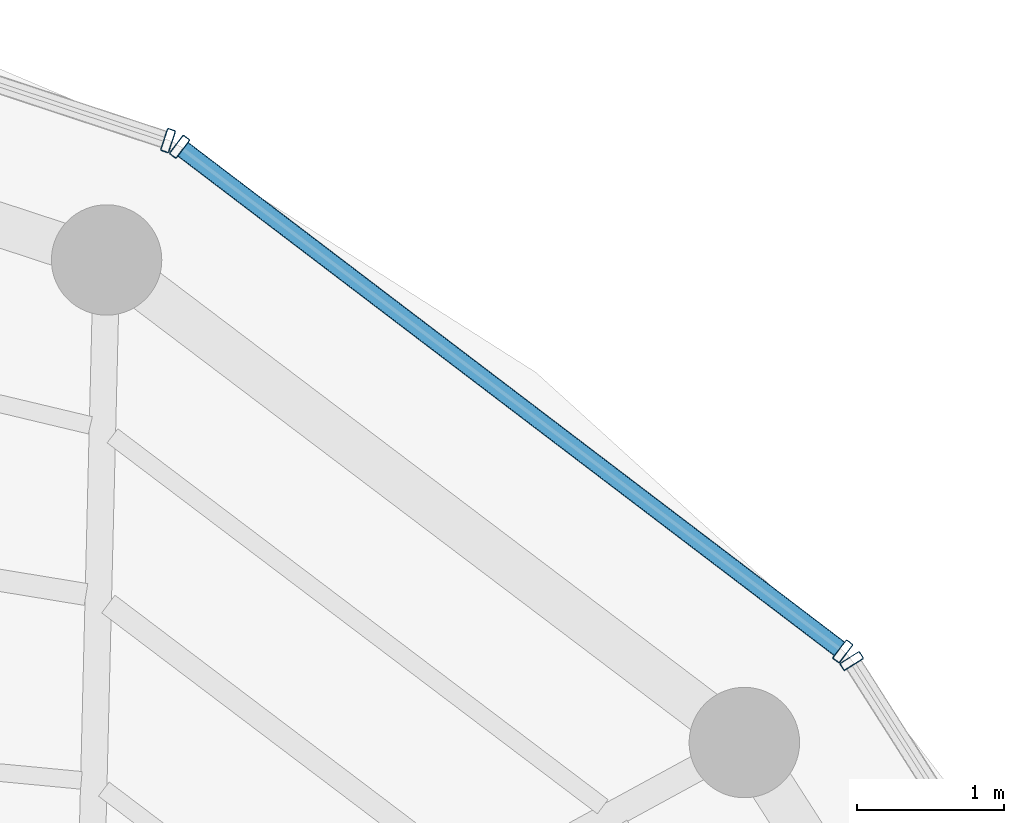
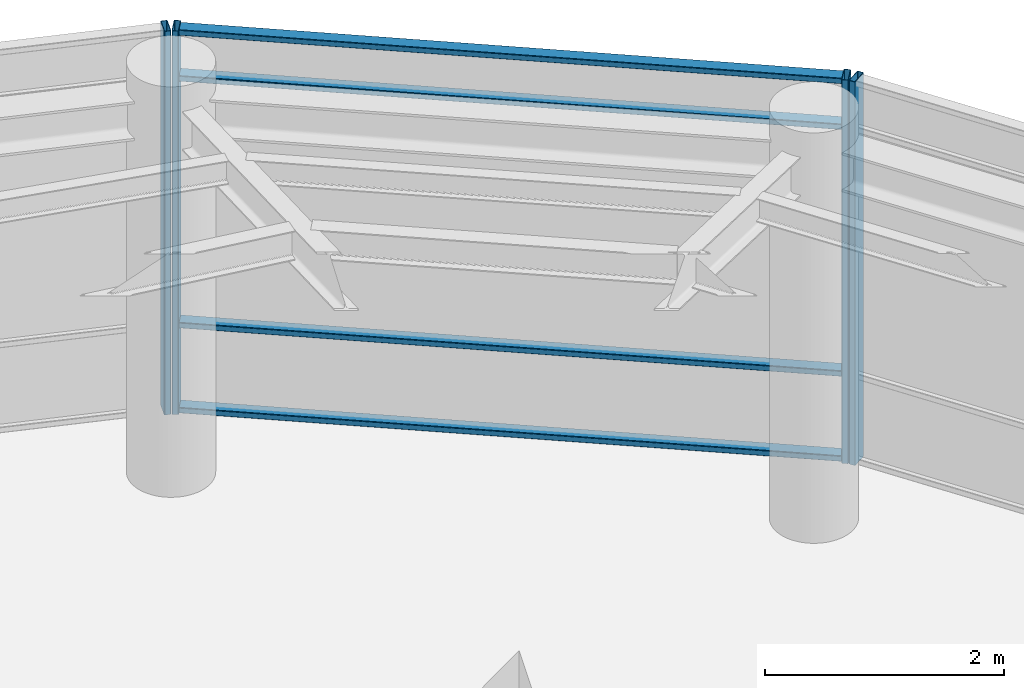
# One storey, part 14 of 19: 8 members, 3 elements without a shape of their own.
"""IFC4 building model written with IfcOpenShell, lengths in metres."""

from ifc_helpers import new_model, si_unit, direction, frame, origin, origin_2d, place, context, subcontext, project, spatial, hollow_rectangle, extrude, material, layer, layer_set, material_profile, profile_set, type_object, element, aggregate, save


model = new_model("IFC4")

# Units and contexts
model_context = context("Model", 3, precision=1e-05, world=origin(), true_north=direction((0.0, 1.0)))
body_context = subcontext(model_context, "Body", "Model", "MODEL_VIEW")
ifc_project = project(units=[si_unit("LENGTHUNIT", "METRE"), si_unit("AREAUNIT", "SQUARE_METRE"), si_unit("VOLUMEUNIT", "CUBIC_METRE"), si_unit("PLANEANGLEUNIT", "RADIAN"), si_unit("MASSUNIT", "GRAM", prefix="KILO")], contexts=[model_context])

# Site, building, storey
site_placement = place(None, origin())
site = spatial("IfcSite", under=ifc_project, at=site_placement, CompositionType="ELEMENT")
building_placement = place(site_placement, origin())
building = spatial("IfcBuilding", under=site, at=building_placement, Name="Kelanora Arch Commons", CompositionType="ELEMENT")
storey_placement = place(building_placement, frame((0.0, 0.0, 302.699951171875)))
storey = spatial("IfcBuildingStorey", under=building, at=storey_placement, Name="L77", CompositionType="ELEMENT", Elevation=302.699951171875)

# Curtain wall, member
ifc_material_1 = material(Name="Terracotta ceramic-fritted low-E glass and aluminium", Category="masonry")
ifc_layer = layer(ifc_material_1, 0.14990234375)
ifc_layer_set = layer_set([ifc_layer], Name="Terracotta ceramic-fritted low-E glass and aluminium")
curtain_wall_type = type_object("IfcCurtainWallType", Name="CW-SYS-06", PredefinedType="NOTDEFINED", material=ifc_layer_set)
curtain_wall_1_placement = place(storey_placement, origin())
curtain_wall_1 = element("IfcCurtainWall", 1, at=curtain_wall_1_placement, inside=storey, type_object=curtain_wall_type, Name="Unitised Curtain Wall L77-B01", PredefinedType="NOTDEFINED")
ifc_material_2 = material(Name="Powder-coated aluminium terracotta", Category="masonry")
ifc_material_profile_1 = material_profile(ifc_material_2, hollow_rectangle(XDim=0.159912109375, YDim=0.06005859375, WallThickness=0.0048828125, InnerFilletRadius=0.0048828125, OuterFilletRadius=0.010009765625, at=origin_2d()), Name="CWM160x60")
ifc_profile_set_1 = profile_set([ifc_material_profile_1], Name="Powder-coated aluminium terracotta")
member_type_1 = type_object("IfcMemberType", Name="CWM-STD", PredefinedType="MULLION", material=ifc_profile_set_1)
member_1_placement = place(storey_placement, frame((87.2001953125, 67.989501953125, 0.0), z_axis=(0.0, 0.0, 1.0), x_axis=(-0.84359225554, -0.536984270154, 0.0)))
member_1 = element("IfcMember", 2, at=member_1_placement, type_object=member_type_1, Name="CW-06 mullion 2", PredefinedType="MULLION", context=body_context, shape_type="SweptSolid", body=[
    extrude(hollow_rectangle(XDim=0.159912109375, YDim=0.06005859375, WallThickness=0.0048828125, InnerFilletRadius=0.0048828125, OuterFilletRadius=0.010009765625, at=origin_2d()), origin(), (0.0, 0.0, 1.0), 3.925048828125),
])
aggregate(curtain_wall_1, [member_1])

# Curtain wall, members
curtain_wall_2_placement = place(storey_placement, origin())
curtain_wall_2 = element("IfcCurtainWall", 3, at=curtain_wall_2_placement, inside=storey, type_object=curtain_wall_type, Name="Unitised Curtain Wall L77-B02", PredefinedType="NOTDEFINED")
member_2_placement = place(storey_placement, frame((87.14013671875, 68.0546875, 0.0), z_axis=(0.0, 0.0, 1.0), x_axis=(-0.605595960801, -0.795772286688, 0.0)))
member_2 = element("IfcMember", 4, at=member_2_placement, type_object=member_type_1, Name="CW-06 mullion 1", PredefinedType="MULLION", context=body_context, shape_type="SweptSolid", body=[
    extrude(hollow_rectangle(XDim=0.159912109375, YDim=0.06005859375, WallThickness=0.0048828125, InnerFilletRadius=0.0048828125, OuterFilletRadius=0.010009765625, at=origin_2d()), origin(), (0.0, 0.0, 1.0), 3.925048828125),
])
member_3_placement = place(storey_placement, frame((82.6357421875, 71.482666015625, 0.0), z_axis=(0.0, 0.0, 1.0), x_axis=(-0.605595960801, -0.795772286688, 0.0)))
member_3 = element("IfcMember", 5, at=member_3_placement, type_object=member_type_1, Name="CW-06 mullion 2", PredefinedType="MULLION", context=body_context, shape_type="SweptSolid", body=[
    extrude(hollow_rectangle(XDim=0.159912109375, YDim=0.06005859375, WallThickness=0.0048828125, InnerFilletRadius=0.0048828125, OuterFilletRadius=0.010009765625, at=origin_2d()), origin(), (0.0, 0.0, 1.0), 3.925048828125),
])

# Curtain wall, member
curtain_wall_3_placement = place(storey_placement, origin())
curtain_wall_3 = element("IfcCurtainWall", 6, at=curtain_wall_3_placement, inside=storey, type_object=curtain_wall_type, Name="Unitised Curtain Wall L77-B03", PredefinedType="NOTDEFINED")
member_4_placement = place(storey_placement, frame((82.557373046875, 71.524169921875, 0.0), z_axis=(0.0, 0.0, 1.0), x_axis=(-0.313466845323, -0.949599145368, 0.0)))
member_4 = element("IfcMember", 7, at=member_4_placement, type_object=member_type_1, Name="CW-06 mullion 1", PredefinedType="MULLION", context=body_context, shape_type="SweptSolid", body=[
    extrude(hollow_rectangle(XDim=0.159912109375, YDim=0.06005859375, WallThickness=0.0048828125, InnerFilletRadius=0.0048828125, OuterFilletRadius=0.010009765625, at=origin_2d()), origin(), (0.0, 0.0, 1.0), 3.925048828125),
])
aggregate(curtain_wall_3, [member_4])

# Member
ifc_material_profile_2 = material_profile(ifc_material_2, hollow_rectangle(XDim=0.1201171875, YDim=0.06005859375, WallThickness=0.0048828125, InnerFilletRadius=0.0048828125, OuterFilletRadius=0.010009765625, at=origin_2d()), Name="CWT120x60")
ifc_profile_set_2 = profile_set([ifc_material_profile_2], Name="Powder-coated aluminium terracotta")
member_type_2 = type_object("IfcMemberType", Name="CWT-STD", PredefinedType="USERDEFINED", material=ifc_profile_set_2)
member_5_placement = place(storey_placement, frame((87.116455078125, 68.072998046875, 0.030029296875), z_axis=(-0.79577982782, 0.605586051387, 0.0), x_axis=(-0.605586051387, -0.79577982782, 0.0)))
member_5 = element("IfcMember", 8, at=member_5_placement, type_object=member_type_2, Name="CW-06 transom 1.1", ObjectType="TRANSOM", PredefinedType="USERDEFINED", context=body_context, shape_type="SweptSolid", body=[
    extrude(hollow_rectangle(XDim=0.1201171875, YDim=0.06005859375, WallThickness=0.0048828125, InnerFilletRadius=0.0048828125, OuterFilletRadius=0.010009765625, at=origin_2d()), origin(), (0.0, 0.0, 1.0), 5.6005859375),
])

member_6_placement = place(storey_placement, frame((87.116455078125, 68.072998046875, 0.900146484375), z_axis=(-0.79577982782, 0.605586051387, 0.0), x_axis=(-0.605586051387, -0.79577982782, 0.0)))
member_6 = element("IfcMember", 9, at=member_6_placement, type_object=member_type_2, Name="CW-06 transom 1.2", ObjectType="TRANSOM", PredefinedType="USERDEFINED", context=body_context, shape_type="SweptSolid", body=[
    extrude(hollow_rectangle(XDim=0.1201171875, YDim=0.06005859375, WallThickness=0.0048828125, InnerFilletRadius=0.0048828125, OuterFilletRadius=0.010009765625, at=origin_2d()), origin(), (0.0, 0.0, 1.0), 5.6005859375),
])

member_7_placement = place(storey_placement, frame((87.116455078125, 68.072998046875, 3.425048828125), z_axis=(-0.79577982782, 0.605586051387, 0.0), x_axis=(-0.605586051387, -0.79577982782, 0.0)))
member_7 = element("IfcMember", 10, at=member_7_placement, type_object=member_type_2, Name="CW-06 transom 1.3", ObjectType="TRANSOM", PredefinedType="USERDEFINED", context=body_context, shape_type="SweptSolid", body=[
    extrude(hollow_rectangle(XDim=0.1201171875, YDim=0.06005859375, WallThickness=0.0048828125, InnerFilletRadius=0.0048828125, OuterFilletRadius=0.010009765625, at=origin_2d()), origin(), (0.0, 0.0, 1.0), 5.6005859375),
])

member_8_placement = place(storey_placement, frame((87.116455078125, 68.072998046875, 3.89501953125), z_axis=(-0.79577982782, 0.605586051387, 0.0), x_axis=(-0.605586051387, -0.79577982782, 0.0)))
member_8 = element("IfcMember", 11, at=member_8_placement, type_object=member_type_2, Name="CW-06 transom 1.4", ObjectType="TRANSOM", PredefinedType="USERDEFINED", context=body_context, shape_type="SweptSolid", body=[
    extrude(hollow_rectangle(XDim=0.1201171875, YDim=0.06005859375, WallThickness=0.0048828125, InnerFilletRadius=0.0048828125, OuterFilletRadius=0.010009765625, at=origin_2d()), origin(), (0.0, 0.0, 1.0), 5.6005859375),
])

aggregate(curtain_wall_2, [member_2, member_3, member_5, member_6, member_7, member_8])

save(model, "model.ifc")
